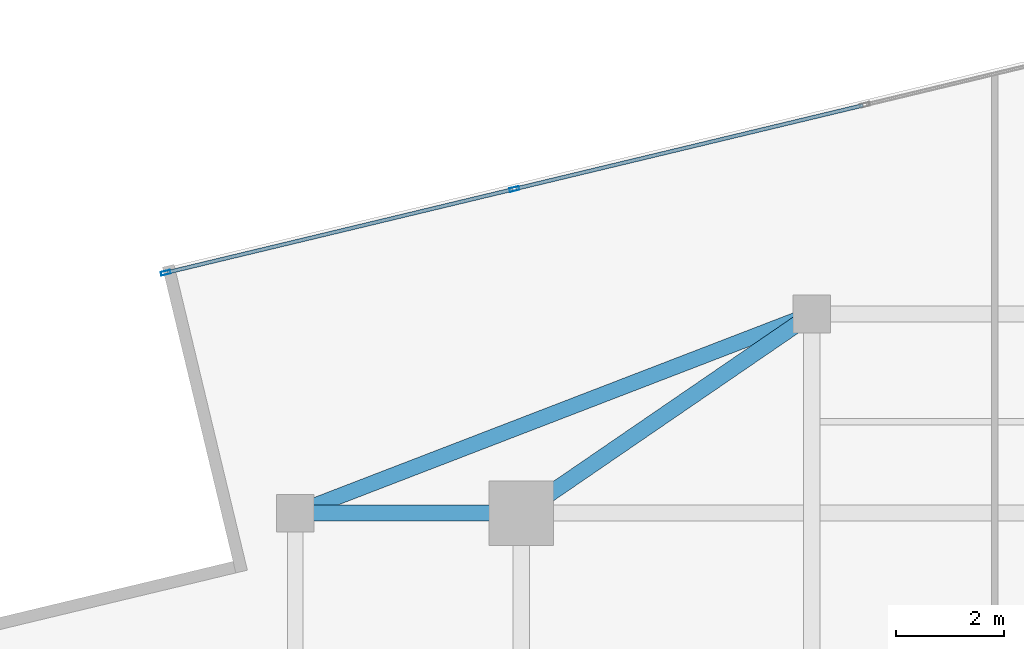
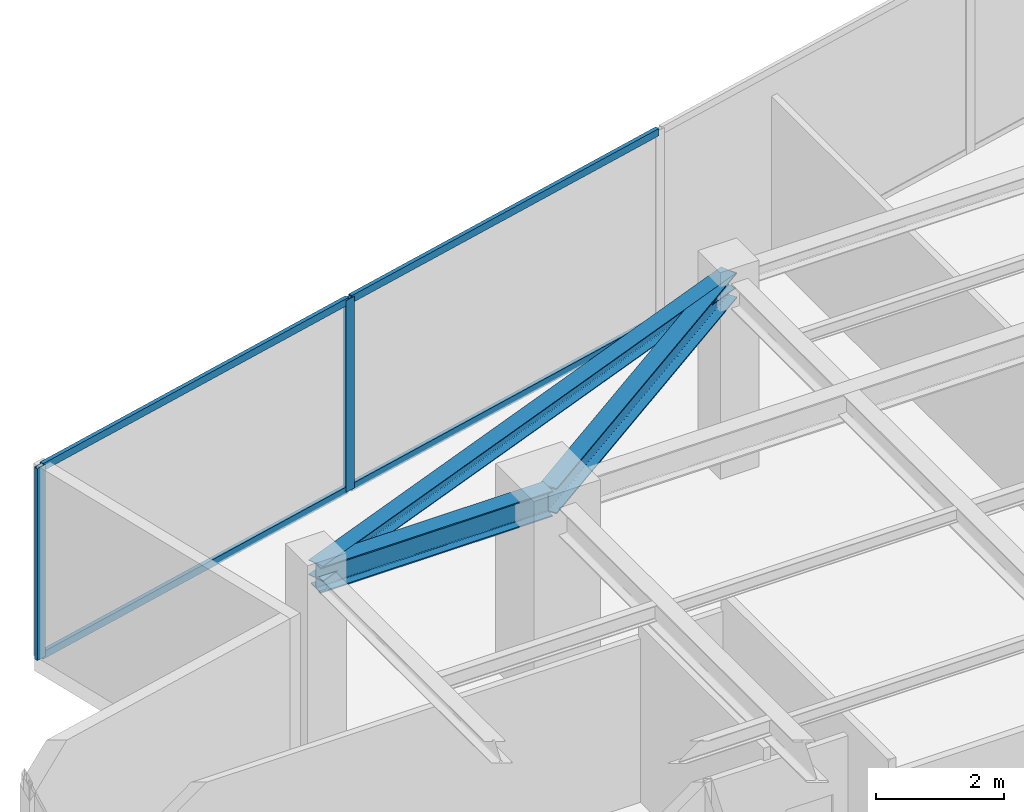
# One storey, part 12 of 22: 6 members, 3 beams, 1 element without a shape of its own.
"""IFC4 building model written with IfcOpenShell, lengths in metres."""

from ifc_helpers import new_model, si_unit, direction, frame, origin, origin_2d, place, context, subcontext, project, spatial, hollow_rectangle, i_section, extrude, source, transform, mapped, material, material_profile, profile_set, type_object, type_shapes, element, aggregate, save


model = new_model("IFC4")

# Units and contexts
model_context = context("Model", 3, precision=1e-05, world=origin(), true_north=direction((0.0, 1.0)))
body_context = subcontext(model_context, "Body", "Model", "MODEL_VIEW")
ifc_project = project(units=[si_unit("LENGTHUNIT", "METRE"), si_unit("AREAUNIT", "SQUARE_METRE"), si_unit("VOLUMEUNIT", "CUBIC_METRE"), si_unit("PLANEANGLEUNIT", "RADIAN"), si_unit("MASSUNIT", "GRAM", prefix="KILO")], contexts=[model_context])

# Site, building, storey
site_placement = place(None, origin())
site = spatial("IfcSite", under=ifc_project, at=site_placement, CompositionType="ELEMENT")
building_placement = place(site_placement, origin())
building = spatial("IfcBuilding", under=site, at=building_placement, Name="Krantzveldt Concourse Tower", CompositionType="ELEMENT")
storey_placement = place(building_placement, frame((0.0, 0.0, 355.35009765625)))
storey = spatial("IfcBuildingStorey", under=building, at=storey_placement, Name="L87", CompositionType="ELEMENT", Elevation=355.35009765625)

# Beams
ifc_material_1 = material(Name="Steel S355JR", Category="steel")
ifc_material_profile_1 = material_profile(ifc_material_1, i_section(OverallWidth=0.300048828125, OverallDepth=0.489990234375, WebThickness=0.011962890625, FlangeThickness=0.02294921875, FilletRadius=0.027099609375, at=origin_2d()), Name="Steel S355JR", Category="steel")
ifc_profile_set_1 = profile_set([ifc_material_profile_1], Name="Steel S355JR - HEA 500")
beam_type_1 = type_object("IfcBeamType", Name="BM-B-HEA500", PredefinedType="BEAM", material=ifc_profile_set_1)
shared_shape_1 = source(origin(), body_context, "Body", "SweptSolid", [
    extrude(i_section(OverallWidth=0.300048828125, OverallDepth=0.489990234375, WebThickness=0.011962890625, FlangeThickness=0.02294921875, FilletRadius=0.027099609375, at=origin_2d()), origin(), (0.0, 0.0, 1.0), 4.199951171875),
])
beam_1_placement = place(storey_placement, frame((21.0, 37.5, 3.4248046875), z_axis=(1.0, 0.0, 0.0), x_axis=(0.0, 1.0, 0.0)))
element("IfcBeam", 1, at=beam_1_placement, inside=storey, type_object=beam_type_1, Name="L87 Tower Girder BR-RL3", PredefinedType="BEAM", context=body_context, shape_type="MappedRepresentation", body=[
    mapped(shared_shape_1, transform((0.0, 0.0, 0.0), x_axis=(1.0, 0.0, 0.0), y_axis=(0.0, 1.0, 0.0), z_axis=(0.0, 0.0, 1.0), scale=1.0)),
])
shared_shape_2 = source(origin(), body_context, "Body", "SweptSolid", [
    extrude(i_section(OverallWidth=0.300048828125, OverallDepth=0.489990234375, WebThickness=0.011962890625, FlangeThickness=0.02294921875, FilletRadius=0.027099609375, at=origin_2d()), origin(), (0.0, 0.0, 1.0), 6.546142578125),
])
type_shapes(beam_type_1, [shared_shape_1, shared_shape_2])
beam_2_placement = place(storey_placement, frame((25.199951171875, 37.5, 3.4248046875), z_axis=(0.824942999484, 0.565215930068, 0.0), x_axis=(-0.565215930068, 0.824942999484, 0.0)))
element("IfcBeam", 2, at=beam_2_placement, inside=storey, type_object=beam_type_1, Name="L87 Tower Girder BR-RL4", PredefinedType="BEAM", context=body_context, shape_type="MappedRepresentation", body=[
    mapped(shared_shape_2, transform((0.0, 0.0, 0.0), x_axis=(1.0, 0.0, 0.0), y_axis=(0.0, 1.0, 0.0), z_axis=(0.0, 0.0, 1.0), scale=1.0)),
])
ifc_material_profile_2 = material_profile(ifc_material_1, i_section(OverallWidth=0.2900390625, OverallDepth=0.2900390625, WebThickness=0.008544921875, FlangeThickness=0.013916015625, FilletRadius=0.027099609375, at=origin_2d()), Name="Steel S355JR", Category="steel")
ifc_profile_set_2 = profile_set([ifc_material_profile_2], Name="Steel S355JR - HEA 300")
beam_type_2 = type_object("IfcBeamType", Name="BM-SP-HEA300", PredefinedType="SPANDREL", material=ifc_profile_set_2)
shared_shape_3 = source(origin(), body_context, "Body", "SweptSolid", [
    extrude(i_section(OverallWidth=0.2900390625, OverallDepth=0.2900390625, WebThickness=0.008544921875, FlangeThickness=0.013916015625, FilletRadius=0.027099609375, at=origin_2d()), origin(), (0.0, 0.0, 1.0), 10.288330078125),
])
type_shapes(beam_type_2, [shared_shape_3])
beam_3_placement = place(storey_placement, frame((21.0, 37.5, 3.52490234375), z_axis=(0.933097690408, 0.359622997257, 0.0), x_axis=(-0.359622997257, 0.933097690408, 0.0)))
element("IfcBeam", 3, at=beam_3_placement, inside=storey, type_object=beam_type_2, Name="L87 Tower Girder SP-R03", PredefinedType="SPANDREL", context=body_context, shape_type="MappedRepresentation", body=[
    mapped(shared_shape_3, transform((0.0, 0.0, 0.0), x_axis=(1.0, 0.0, 0.0), y_axis=(0.0, 1.0, 0.0), z_axis=(0.0, 0.0, 1.0), scale=1.0)),
])

# Curtain wall, members
ifc_material_2 = material(Name="Anodised aluminium 6063-T6", Category="aluminium")
curtain_wall_type = type_object("IfcCurtainWallType", Name="CW4", PredefinedType="USERDEFINED", material=ifc_material_2)
curtain_wall_placement = place(storey_placement, origin())
curtain_wall = element("IfcCurtainWall", 4, at=curtain_wall_placement, inside=storey, type_object=curtain_wall_type, Name="CW-L87-F01", ObjectType="UNITISED CURTAIN WALL", PredefinedType="USERDEFINED")
ifc_material_profile_3 = material_profile(ifc_material_2, hollow_rectangle(XDim=0.070068359375, YDim=0.179931640625, WallThickness=0.0048828125, at=origin_2d()), Name="Anodised aluminium 6063-T6", Category="aluminium")
ifc_profile_set_3 = profile_set([ifc_material_profile_3], Name="Anodised aluminium 6063-T6 - ALU-MULL 180x70x5")
member_type_1 = type_object("IfcMemberType", Name="CW-MUL-180", PredefinedType="MULLION", material=ifc_profile_set_3)
shared_shape_4 = source(origin(), body_context, "Body", "SweptSolid", [
    extrude(hollow_rectangle(XDim=0.070068359375, YDim=0.179931640625, WallThickness=0.0048828125, at=origin_2d()), origin(), (0.0, 0.0, 1.0), 3.669921875),
])
type_shapes(member_type_1, [shared_shape_4])
member_1_placement = place(storey_placement, frame((25.070556640625, 43.5234375, 0.0), z_axis=(0.0, 0.0, 1.0), x_axis=(0.233445461796, -0.972369896884, 0.0)))
member_1 = element("IfcMember", 5, at=member_1_placement, type_object=member_type_1, Name="CW-Z56 mullion 4", PredefinedType="MULLION", context=body_context, shape_type="MappedRepresentation", body=[
    mapped(shared_shape_4, transform((0.0, 0.0, 0.0), x_axis=(1.0, 0.0, 0.0), y_axis=(0.0, 1.0, 0.0), z_axis=(0.0, 0.0, 1.0), scale=1.0)),
])
member_2_placement = place(storey_placement, frame((18.58984375, 41.967529296875, 0.0), z_axis=(0.0, 0.0, 1.0), x_axis=(0.233445461796, -0.972369896884, 0.0)))
member_2 = element("IfcMember", 6, at=member_2_placement, type_object=member_type_1, Name="CW-Z56 mullion 5", PredefinedType="MULLION", context=body_context, shape_type="MappedRepresentation", body=[
    mapped(shared_shape_4, transform((0.0, 0.0, 0.0), x_axis=(1.0, 0.0, 0.0), y_axis=(0.0, 1.0, 0.0), z_axis=(0.0, 0.0, 1.0), scale=1.0)),
])
ifc_material_profile_4 = material_profile(ifc_material_2, hollow_rectangle(XDim=0.070068359375, YDim=0.139892578125, WallThickness=0.0048828125, at=origin_2d()), Name="Anodised aluminium 6063-T6", Category="aluminium")
ifc_profile_set_4 = profile_set([ifc_material_profile_4], Name="Anodised aluminium 6063-T6 - ALU-TRAN 140x70x5")
member_type_2 = type_object("IfcMemberType", Name="CW-TRN-150", PredefinedType="USERDEFINED", material=ifc_profile_set_4)
shared_shape_5 = source(origin(), body_context, "Body", "SweptSolid", [
    extrude(hollow_rectangle(XDim=0.070068359375, YDim=0.139892578125, WallThickness=0.0048828125, at=origin_2d()), origin(), (0.0, 0.0, 1.0), 6.6298828125),
])
member_3_placement = place(storey_placement, frame((31.551513671875, 45.079345703125, 0.034912109375), z_axis=(-0.972365905625, -0.233462085953, 0.0), x_axis=(0.233462085953, -0.972365905625, 0.0)))
member_3 = element("IfcMember", 7, at=member_3_placement, type_object=member_type_2, Name="CW-Z56 transom 3.1", ObjectType="TRANSOM", PredefinedType="USERDEFINED", context=body_context, shape_type="MappedRepresentation", body=[
    mapped(shared_shape_5, transform((0.0, 0.0, 0.0), x_axis=(1.0, 0.0, 0.0), y_axis=(0.0, 1.0, 0.0), z_axis=(0.0, 0.0, 1.0), scale=1.0)),
])
member_4_placement = place(storey_placement, frame((31.551513671875, 45.079345703125, 3.635009765625), z_axis=(-0.972365905625, -0.233462085953, 0.0), x_axis=(0.233462085953, -0.972365905625, 0.0)))
member_4 = element("IfcMember", 8, at=member_4_placement, type_object=member_type_2, Name="CW-Z56 transom 3.2", ObjectType="TRANSOM", PredefinedType="USERDEFINED", context=body_context, shape_type="MappedRepresentation", body=[
    mapped(shared_shape_5, transform((0.0, 0.0, 0.0), x_axis=(1.0, 0.0, 0.0), y_axis=(0.0, 1.0, 0.0), z_axis=(0.0, 0.0, 1.0), scale=1.0)),
])
shared_shape_6 = source(origin(), body_context, "Body", "SweptSolid", [
    extrude(hollow_rectangle(XDim=0.070068359375, YDim=0.139892578125, WallThickness=0.0048828125, at=origin_2d()), origin(), (0.0, 0.0, 1.0), 6.59521484375),
])
type_shapes(member_type_2, [shared_shape_5, shared_shape_6])
member_5_placement = place(storey_placement, frame((25.03662109375, 43.515380859375, 0.034912109375), z_axis=(-0.972362767007, -0.23347515786, 0.0), x_axis=(0.23347515786, -0.972362767007, 0.0)))
member_5 = element("IfcMember", 9, at=member_5_placement, type_object=member_type_2, Name="CW-Z56 transom 4.1", ObjectType="TRANSOM", PredefinedType="USERDEFINED", context=body_context, shape_type="MappedRepresentation", body=[
    mapped(shared_shape_6, transform((0.0, 0.0, 0.0), x_axis=(1.0, 0.0, 0.0), y_axis=(0.0, 1.0, 0.0), z_axis=(0.0, 0.0, 1.0), scale=1.0)),
])
member_6_placement = place(storey_placement, frame((25.03662109375, 43.515380859375, 3.635009765625), z_axis=(-0.972362767007, -0.23347515786, 0.0), x_axis=(0.23347515786, -0.972362767007, 0.0)))
member_6 = element("IfcMember", 10, at=member_6_placement, type_object=member_type_2, Name="CW-Z56 transom 4.2", ObjectType="TRANSOM", PredefinedType="USERDEFINED", context=body_context, shape_type="MappedRepresentation", body=[
    mapped(shared_shape_6, transform((0.0, 0.0, 0.0), x_axis=(1.0, 0.0, 0.0), y_axis=(0.0, 1.0, 0.0), z_axis=(0.0, 0.0, 1.0), scale=1.0)),
])
aggregate(curtain_wall, [member_1, member_2, member_3, member_4, member_5, member_6])

save(model, "model.ifc")
